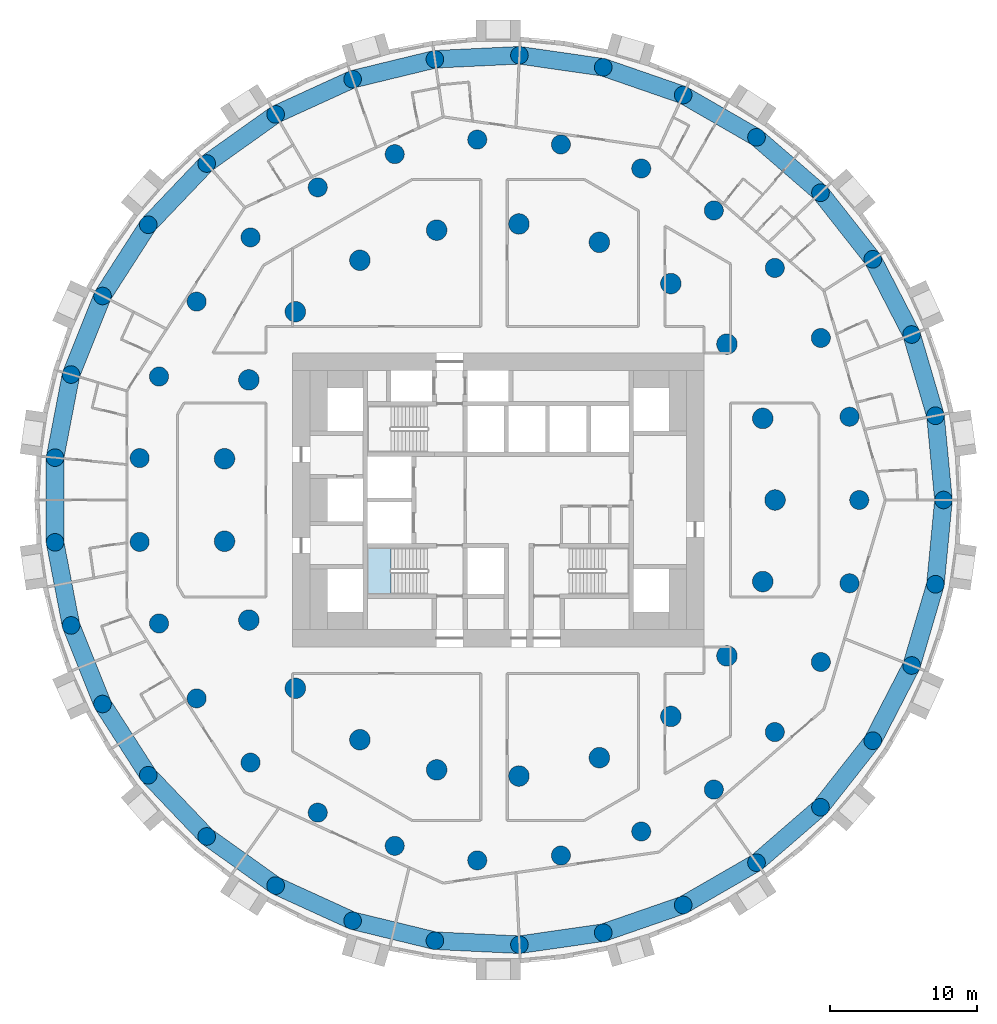
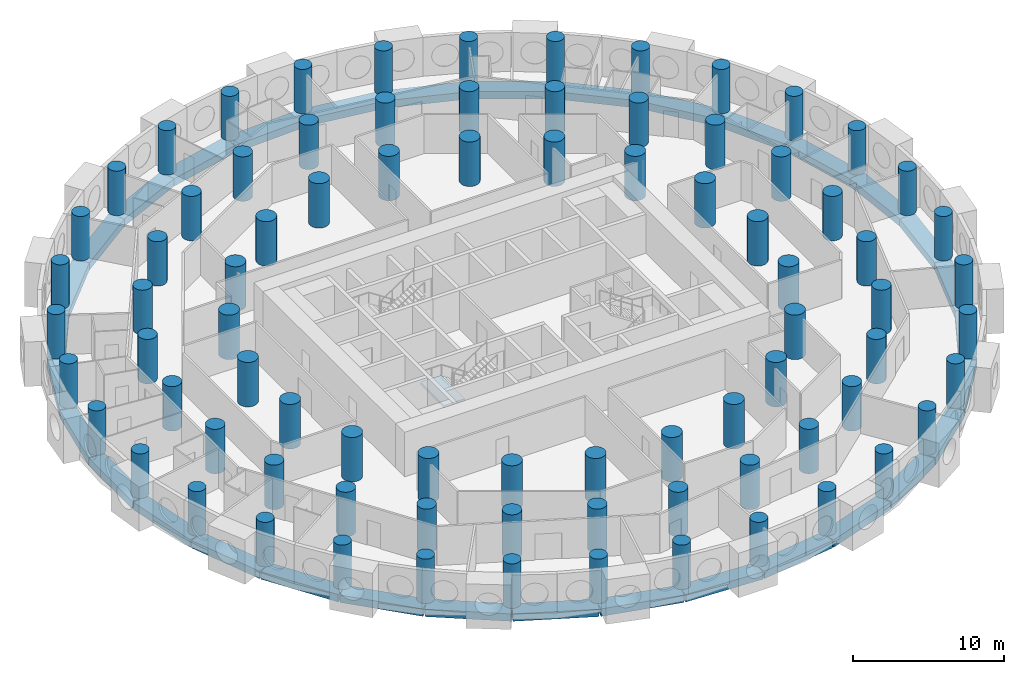
# One storey, part 1 of 12: 81 columns, 33 beams, 1 slab, 1 element without a shape of its own.
"""IFC4 building model written with IfcOpenShell, lengths in metres."""

from ifc_helpers import new_model, si_unit, direction, frame, origin, origin_2d, place, context, subcontext, project, spatial, polyline, rectangle, circle, outline, extrude, material, layer, layer_set, material_profile, profile_set, type_object, element, aggregate, save


model = new_model("IFC4")

# Units and contexts
model_context = context("Model", 3, precision=1e-05, world=origin(), true_north=direction((0.0, 1.0)))
body_context = subcontext(model_context, "Body", "Model", "MODEL_VIEW")
ifc_project = project(units=[si_unit("LENGTHUNIT", "METRE"), si_unit("AREAUNIT", "SQUARE_METRE"), si_unit("VOLUMEUNIT", "CUBIC_METRE"), si_unit("PLANEANGLEUNIT", "RADIAN"), si_unit("MASSUNIT", "GRAM", prefix="KILO")], contexts=[model_context])

# Site, building, storey
site_placement = place(None, origin())
site = spatial("IfcSite", under=ifc_project, at=site_placement, CompositionType="ELEMENT")
building_placement = place(site_placement, origin())
building = spatial("IfcBuilding", under=site, at=building_placement, Name="Tracery Tower", CompositionType="ELEMENT")
storey_placement = place(building_placement, frame((0.0, 0.0, 111.0)))
storey = spatial("IfcBuildingStorey", under=building, at=storey_placement, Name="L28", CompositionType="ELEMENT", Elevation=111.0)

# Columns
ifc_material_1 = material(Name="Concrete C60/75", Category="concrete")
ifc_material_profile_1 = material_profile(ifc_material_1, circle(Radius=0.60009765625, at=origin_2d()), Name="RC D1200")
ifc_profile_set_1 = profile_set([ifc_material_profile_1], Name="Concrete C60/75")
column_type_1 = type_object("IfcColumnType", Name="Ring 0 column 1200", PredefinedType="COLUMN", material=ifc_profile_set_1)
for number, where, z_axis, x_axis, name in (
    (1, (30.274658203125, 0.0, 0.0), (0.0, 0.0, 1.0), (1.0, 0.0, 0.0), "Ring 0 column 00 at L28"),
    (2, (29.7275390625, 5.7294921875, 0.0), (0.0, 0.0, 1.0), (1.0, 0.0, 0.0), "Ring 0 column 01 at L28"),
    (3, (28.10595703125, 11.251953125, 0.0), (0.0, 0.0, 1.0), (1.0, 0.0, 0.0), "Ring 0 column 02 at L28"),
    (4, (25.468505859375, 16.36767578125, 0.0), (0.0, 0.0, 1.0), (1.0, 0.0, 0.0), "Ring 0 column 03 at L28"),
    (5, (21.910888671875, 20.891845703125, 0.0), (0.0, 0.0, 1.0), (1.0, 0.0, 0.0), "Ring 0 column 04 at L28"),
    (6, (17.56103515625, 24.660888671875, 0.0), (0.0, 0.0, 1.0), (1.0, 0.0, 0.0), "Ring 0 column 05 at L28"),
    (7, (12.576416015625, 27.538818359375, 0.0), (0.0, 0.0, 1.0), (1.0, 0.0, 0.0), "Ring 0 column 06 at L28"),
    (8, (7.137451171875, 29.421142578125, 0.0), (0.0, 0.0, 1.0), (1.0, 0.0, 0.0), "Ring 0 column 07 at L28"),
    (9, (1.4404296875, 30.240234375, 0.0), (0.0, 0.0, 1.0), (1.0, 0.0, 0.0), "Ring 0 column 08 at L28"),
    (10, (-4.30859375, 29.96630859375, 0.0), (0.0, 0.0, 1.0), (1.0, 0.0, 0.0), "Ring 0 column 09 at L28"),
    (11, (-9.90185546875, 28.609619140625, 0.0), (0.0, 0.0, 1.0), (1.0, 0.0, 0.0), "Ring 0 column 10 at L28"),
    (12, (-15.13720703125, 26.218505859375, 0.0), (0.0, 0.0, 1.0), (1.0, 0.0, 0.0), "Ring 0 column 11 at L28"),
    (13, (-19.82568359375, 22.8798828125, 0.0), (0.0, 0.0, 1.0), (1.0, 0.0, 0.0), "Ring 0 column 12 at L28"),
    (14, (-23.79736328125, 18.714599609375, 0.0), (0.0, 0.0, 1.0), (1.0, 0.0, 0.0), "Ring 0 column 13 at L28"),
    (15, (-26.9091796875, 13.87255859375, 0.0), (0.0, 0.0, 1.0), (1.0, 0.0, 0.0), "Ring 0 column 14 at L28"),
    (16, (-29.04833984375, 8.529296875, 0.0), (0.0, 0.0, 1.0), (1.0, 0.0, 0.0), "Ring 0 column 15 at L28"),
    (17, (-30.137451171875, 2.877685546875, 0.0), (0.0, 0.0, 1.0), (1.0, 0.0, 0.0), "Ring 0 column 16 at L28"),
    (18, (-30.137451171875, -2.877685546875, 0.0), (0.0, 0.0, 1.0), (1.0, 0.0, 0.0), "Ring 0 column 17 at L28"),
    (19, (-29.04833984375, -8.529296875, 0.0), (0.0, 0.0, 1.0), (1.0, 0.0, 0.0), "Ring 0 column 18 at L28"),
    (20, (-26.9091796875, -13.87255859375, 0.0), (0.0, 0.0, 1.0), (1.0, 0.0, 0.0), "Ring 0 column 19 at L28"),
    (21, (-23.79736328125, -18.714599609375, 0.0), (0.0, 0.0, 1.0), (1.0, 0.0, 0.0), "Ring 0 column 20 at L28"),
    (22, (-19.82568359375, -22.8798828125, 0.0), (0.0, 0.0, 1.0), (1.0, 0.0, 0.0), "Ring 0 column 21 at L28"),
    (23, (-15.13720703125, -26.218505859375, 0.0), (0.0, 0.0, 1.0), (1.0, 0.0, 0.0), "Ring 0 column 22 at L28"),
    (24, (-9.90185546875, -28.609619140625, 0.0), (0.0, 0.0, 1.0), (1.0, 0.0, 0.0), "Ring 0 column 23 at L28"),
    (25, (-4.30859375, -29.96630859375, 0.0), (0.0, 0.0, 1.0), (1.0, 0.0, 0.0), "Ring 0 column 24 at L28"),
    (26, (1.4404296875, -30.240234375, 0.0), (0.0, 0.0, 1.0), (1.0, 0.0, 0.0), "Ring 0 column 25 at L28"),
    (27, (7.137451171875, -29.421142578125, 0.0), (0.0, 0.0, 1.0), (1.0, 0.0, 0.0), "Ring 0 column 26 at L28"),
    (28, (12.576416015625, -27.538818359375, 0.0), (0.0, 0.0, 1.0), (1.0, 0.0, 0.0), "Ring 0 column 27 at L28"),
    (29, (17.56103515625, -24.660888671875, 0.0), (0.0, 0.0, 1.0), (1.0, 0.0, 0.0), "Ring 0 column 28 at L28"),
    (30, (21.910888671875, -20.891845703125, 0.0), (0.0, 0.0, 1.0), (1.0, 0.0, 0.0), "Ring 0 column 29 at L28"),
    (31, (25.468505859375, -16.36767578125, 0.0), (0.0, 0.0, 1.0), (1.0, 0.0, 0.0), "Ring 0 column 30 at L28"),
    (32, (28.10595703125, -11.251953125, 0.0), (0.0, 0.0, 1.0), (1.0, 0.0, 0.0), "Ring 0 column 31 at L28"),
    (33, (29.7275390625, -5.7294921875, 0.0), (0.0, 0.0, 1.0), (1.0, 0.0, 0.0), "Ring 0 column 32 at L28"),
):
    element("IfcColumn", number, at=place(storey_placement, frame(where, z_axis=z_axis, x_axis=x_axis)), inside=storey, type_object=column_type_1, Name=name, PredefinedType="COLUMN", context=body_context, shape_type="SweptSolid", body=[
        extrude(circle(Radius=0.60009765625, at=origin_2d()), origin(), (0.0, 0.0, 1.0), 3.60009765625),
    ])
ifc_material_2 = material(Name="Concrete C60/75", Category="concrete")
ifc_material_profile_2 = material_profile(ifc_material_2, circle(Radius=0.64990234375, at=origin_2d()), Name="RC D1300")
ifc_profile_set_2 = profile_set([ifc_material_profile_2], Name="Concrete C60/75")
column_type_2 = type_object("IfcColumnType", Name="Ring 1 column 1300", PredefinedType="COLUMN", material=ifc_profile_set_2)
for number, where, z_axis, x_axis, name in (
    (34, (24.547607421875, 0.0, 0.0), (0.0, 0.0, 1.0), (1.0, 0.0, 0.0), "Ring 1 column 00 at L28"),
    (35, (23.885986328125, 5.6611328125, 0.0), (0.0, 0.0, 1.0), (1.0, 0.0, 0.0), "Ring 1 column 01 at L28"),
    (36, (21.9365234375, 11.01708984375, 0.0), (0.0, 0.0, 1.0), (1.0, 0.0, 0.0), "Ring 1 column 02 at L28"),
    (37, (18.8046875, 15.779052734375, 0.0), (0.0, 0.0, 1.0), (1.0, 0.0, 0.0), "Ring 1 column 03 at L28"),
    (38, (14.658935546875, 19.690185546875, 0.0), (0.0, 0.0, 1.0), (1.0, 0.0, 0.0), "Ring 1 column 04 at L28"),
    (39, (9.722900390625, 22.5400390625, 0.0), (0.0, 0.0, 1.0), (1.0, 0.0, 0.0), "Ring 1 column 05 at L28"),
    (40, (4.2626953125, 24.1748046875, 0.0), (0.0, 0.0, 1.0), (1.0, 0.0, 0.0), "Ring 1 column 06 at L28"),
    (41, (-1.42724609375, 24.506103515625, 0.0), (0.0, 0.0, 1.0), (1.0, 0.0, 0.0), "Ring 1 column 07 at L28"),
    (42, (-7.040283203125, 23.516357421875, 0.0), (0.0, 0.0, 1.0), (1.0, 0.0, 0.0), "Ring 1 column 08 at L28"),
    (43, (-12.273681640625, 21.2587890625, 0.0), (0.0, 0.0, 1.0), (1.0, 0.0, 0.0), "Ring 1 column 09 at L28"),
    (44, (-16.845703125, 17.855224609375, 0.0), (0.0, 0.0, 1.0), (1.0, 0.0, 0.0), "Ring 1 column 10 at L28"),
    (45, (-20.50927734375, 13.4892578125, 0.0), (0.0, 0.0, 1.0), (1.0, 0.0, 0.0), "Ring 1 column 11 at L28"),
    (46, (-23.0673828125, 8.395751953125, 0.0), (0.0, 0.0, 1.0), (1.0, 0.0, 0.0), "Ring 1 column 12 at L28"),
    (47, (-24.381591796875, 2.849853515625, 0.0), (0.0, 0.0, 1.0), (1.0, 0.0, 0.0), "Ring 1 column 13 at L28"),
    (48, (-24.381591796875, -2.849853515625, 0.0), (0.0, 0.0, 1.0), (1.0, 0.0, 0.0), "Ring 1 column 14 at L28"),
    (49, (-23.0673828125, -8.395751953125, 0.0), (0.0, 0.0, 1.0), (1.0, 0.0, 0.0), "Ring 1 column 15 at L28"),
    (50, (-20.50927734375, -13.4892578125, 0.0), (0.0, 0.0, 1.0), (1.0, 0.0, 0.0), "Ring 1 column 16 at L28"),
    (51, (-16.845703125, -17.85546875, 0.0), (0.0, 0.0, 1.0), (1.0, 0.0, 0.0), "Ring 1 column 17 at L28"),
    (52, (-12.27392578125, -21.2587890625, 0.0), (0.0, 0.0, 1.0), (1.0, 0.0, 0.0), "Ring 1 column 18 at L28"),
    (53, (-7.040283203125, -23.516357421875, 0.0), (0.0, 0.0, 1.0), (1.0, 0.0, 0.0), "Ring 1 column 19 at L28"),
    (54, (-1.42724609375, -24.506103515625, 0.0), (0.0, 0.0, 1.0), (1.0, 0.0, 0.0), "Ring 1 column 20 at L28"),
    (55, (4.2626953125, -24.1748046875, 0.0), (0.0, 0.0, 1.0), (1.0, 0.0, 0.0), "Ring 1 column 21 at L28"),
    (56, (9.722900390625, -22.5400390625, 0.0), (0.0, 0.0, 1.0), (1.0, 0.0, 0.0), "Ring 1 column 22 at L28"),
    (57, (14.658935546875, -19.690185546875, 0.0), (0.0, 0.0, 1.0), (1.0, 0.0, 0.0), "Ring 1 column 23 at L28"),
    (58, (18.8046875, -15.779052734375, 0.0), (0.0, 0.0, 1.0), (1.0, 0.0, 0.0), "Ring 1 column 24 at L28"),
    (59, (21.9365234375, -11.01708984375, 0.0), (0.0, 0.0, 1.0), (1.0, 0.0, 0.0), "Ring 1 column 25 at L28"),
    (60, (23.885986328125, -5.6611328125, 0.0), (0.0, 0.0, 1.0), (1.0, 0.0, 0.0), "Ring 1 column 26 at L28"),
):
    element("IfcColumn", number, at=place(storey_placement, frame(where, z_axis=z_axis, x_axis=x_axis)), inside=storey, type_object=column_type_2, Name=name, PredefinedType="COLUMN", context=body_context, shape_type="SweptSolid", body=[
        extrude(circle(Radius=0.64990234375, at=origin_2d()), origin(), (0.0, 0.0, 1.0), 3.60009765625),
    ])
ifc_material_3 = material(Name="Concrete C60/75", Category="concrete")
ifc_material_profile_3 = material_profile(ifc_material_3, circle(Radius=0.699951171875, at=origin_2d()), Name="RC D1400")
ifc_profile_set_3 = profile_set([ifc_material_profile_3], Name="Concrete C60/75")
column_type_3 = type_object("IfcColumnType", Name="Ring 2 column 1400", PredefinedType="COLUMN", material=ifc_profile_set_3)
for number, where, z_axis, x_axis, name in (
    (61, (18.822265625, 0.0, 0.0), (0.0, 0.0, 1.0), (1.0, 0.0, 0.0), "Ring 2 column 00 at L28"),
    (62, (17.986083984375, 5.5478515625, 0.0), (0.0, 0.0, 1.0), (1.0, 0.0, 0.0), "Ring 2 column 01 at L28"),
    (63, (15.551513671875, 10.602783203125, 0.0), (0.0, 0.0, 1.0), (1.0, 0.0, 0.0), "Ring 2 column 02 at L28"),
    (64, (11.7353515625, 14.7158203125, 0.0), (0.0, 0.0, 1.0), (1.0, 0.0, 0.0), "Ring 2 column 03 at L28"),
    (65, (6.87646484375, 17.52099609375, 0.0), (0.0, 0.0, 1.0), (1.0, 0.0, 0.0), "Ring 2 column 04 at L28"),
    (66, (1.406494140625, 18.76953125, 0.0), (0.0, 0.0, 1.0), (1.0, 0.0, 0.0), "Ring 2 column 05 at L28"),
    (67, (-4.188232421875, 18.350341796875, 0.0), (0.0, 0.0, 1.0), (1.0, 0.0, 0.0), "Ring 2 column 06 at L28"),
    (68, (-9.4111328125, 16.300537109375, 0.0), (0.0, 0.0, 1.0), (1.0, 0.0, 0.0), "Ring 2 column 07 at L28"),
    (69, (-13.797607421875, 12.802490234375, 0.0), (0.0, 0.0, 1.0), (1.0, 0.0, 0.0), "Ring 2 column 08 at L28"),
    (70, (-16.958251953125, 8.16650390625, 0.0), (0.0, 0.0, 1.0), (1.0, 0.0, 0.0), "Ring 2 column 09 at L28"),
    (71, (-18.612060546875, 2.805419921875, 0.0), (0.0, 0.0, 1.0), (1.0, 0.0, 0.0), "Ring 2 column 10 at L28"),
    (72, (-18.612060546875, -2.805419921875, 0.0), (0.0, 0.0, 1.0), (1.0, 0.0, 0.0), "Ring 2 column 11 at L28"),
    (73, (-16.958251953125, -8.166748046875, 0.0), (0.0, 0.0, 1.0), (1.0, 0.0, 0.0), "Ring 2 column 12 at L28"),
    (74, (-13.797607421875, -12.80224609375, 0.0), (0.0, 0.0, 1.0), (1.0, 0.0, 0.0), "Ring 2 column 13 at L28"),
    (75, (-9.4111328125, -16.300537109375, 0.0), (0.0, 0.0, 1.0), (1.0, 0.0, 0.0), "Ring 2 column 14 at L28"),
    (76, (-4.188232421875, -18.350341796875, 0.0), (0.0, 0.0, 1.0), (1.0, 0.0, 0.0), "Ring 2 column 15 at L28"),
    (77, (1.406494140625, -18.76953125, 0.0), (0.0, 0.0, 1.0), (1.0, 0.0, 0.0), "Ring 2 column 16 at L28"),
    (78, (6.87646484375, -17.52099609375, 0.0), (0.0, 0.0, 1.0), (1.0, 0.0, 0.0), "Ring 2 column 17 at L28"),
    (79, (11.7353515625, -14.7158203125, 0.0), (0.0, 0.0, 1.0), (1.0, 0.0, 0.0), "Ring 2 column 18 at L28"),
    (80, (15.551513671875, -10.602783203125, 0.0), (0.0, 0.0, 1.0), (1.0, 0.0, 0.0), "Ring 2 column 19 at L28"),
    (81, (17.986083984375, -5.5478515625, 0.0), (0.0, 0.0, 1.0), (1.0, 0.0, 0.0), "Ring 2 column 20 at L28"),
):
    element("IfcColumn", number, at=place(storey_placement, frame(where, z_axis=z_axis, x_axis=x_axis)), inside=storey, type_object=column_type_3, Name=name, PredefinedType="COLUMN", context=body_context, shape_type="SweptSolid", body=[
        extrude(circle(Radius=0.699951171875, at=origin_2d()), origin(), (0.0, 0.0, 1.0), 3.60009765625),
    ])

# Beams
ifc_material_4 = material(Name="Concrete C60/75", Category="concrete")
ifc_material_profile_4 = material_profile(ifc_material_4, rectangle(XDim=1.199951171875, YDim=0.60009765625, at=origin_2d()), Name="RC 1200x600")
ifc_profile_set_4 = profile_set([ifc_material_profile_4], Name="Concrete C60/75")
beam_type = type_object("IfcBeamType", Name="Perimeter band beam 1200x600", PredefinedType="BEAM", material=ifc_profile_set_4)
for number, where, z_axis, x_axis, name in (
    (82, (30.274658203125, 0.0, -0.75), (-0.095059309677, 0.995471610667, 0.0), (-0.995471610667, -0.095059309677, 0.0), "Perimeter beam 0.00 under L28"),
    (83, (29.7275390625, 5.7294921875, -0.75), (-0.281739145896, 0.959491038869, 0.0), (-0.959491038869, -0.281739145896, 0.0), "Perimeter beam 0.01 under L28"),
    (84, (28.10595703125, 11.251953125, -0.75), (-0.458242010493, 0.88882746347, 0.0), (-0.88882746347, -0.458242010493, 0.0), "Perimeter beam 0.02 under L28"),
):
    element("IfcBeam", number, at=place(storey_placement, frame(where, z_axis=z_axis, x_axis=x_axis)), inside=storey, type_object=beam_type, Name=name, PredefinedType="BEAM", context=body_context, shape_type="SweptSolid", body=[
        extrude(rectangle(XDim=1.199951171875, YDim=0.60009765625, at=origin_2d()), origin(), (0.0, 0.0, 1.0), 5.755615234375),
    ])
beam_1_placement = place(storey_placement, frame((25.468505859375, 16.36767578125, -0.75), z_axis=(-0.618134362257, 0.786072458618, 0.0), x_axis=(-0.786072458618, -0.618134362257, 0.0)))
element("IfcBeam", 85, at=beam_1_placement, inside=storey, type_object=beam_type, Name="Perimeter beam 0.03 under L28", PredefinedType="BEAM", context=body_context, shape_type="SweptSolid", body=[
    extrude(rectangle(XDim=1.199951171875, YDim=0.60009765625, at=origin_2d()), origin(), (0.0, 0.0, 1.0), 5.75537109375),
])
beam_2_placement = place(storey_placement, frame((21.910888671875, 20.891845703125, -0.75), z_axis=(-0.755760456715, 0.65484817482, 0.0), x_axis=(-0.65484817482, -0.755760456715, 0.0)))
element("IfcBeam", 86, at=beam_2_placement, inside=storey, type_object=beam_type, Name="Perimeter beam 0.04 under L28", PredefinedType="BEAM", context=body_context, shape_type="SweptSolid", body=[
    extrude(rectangle(XDim=1.199951171875, YDim=0.60009765625, at=origin_2d()), origin(), (0.0, 0.0, 1.0), 5.755615234375),
])
beam_3_placement = place(storey_placement, frame((17.56103515625, 24.660888671875, -0.75), z_axis=(-0.866021003874, 0.50000762079, 0.0), x_axis=(-0.50000762079, -0.866021003874, 0.0)))
element("IfcBeam", 87, at=beam_3_placement, inside=storey, type_object=beam_type, Name="Perimeter beam 0.05 under L28", PredefinedType="BEAM", context=body_context, shape_type="SweptSolid", body=[
    extrude(rectangle(XDim=1.199951171875, YDim=0.60009765625, at=origin_2d()), origin(), (0.0, 0.0, 1.0), 5.755859375),
])
beam_4_placement = place(storey_placement, frame((12.576416015625, 27.538818359375, -0.75), z_axis=(-0.945007252869, 0.327049372458, 0.0), x_axis=(-0.327049372458, -0.945007252869, 0.0)))
element("IfcBeam", 88, at=beam_4_placement, inside=storey, type_object=beam_type, Name="Perimeter beam 0.06 under L28", PredefinedType="BEAM", context=body_context, shape_type="SweptSolid", body=[
    extrude(rectangle(XDim=1.199951171875, YDim=0.60009765625, at=origin_2d()), origin(), (0.0, 0.0, 1.0), 5.75537109375),
])
for number, where, z_axis, x_axis, name in (
    (89, (7.137451171875, 29.421142578125, -0.75), (-0.989821839174, 0.142312075013, 0.0), (-0.142312075013, -0.989821839174, 0.0), "Perimeter beam 0.07 under L28"),
    (90, (1.4404296875, 30.240234375, -0.75), (-0.998866793759, -0.047593364303, 0.0), (0.047593364303, -0.998866793759, 0.0), "Perimeter beam 0.08 under L28"),
):
    element("IfcBeam", number, at=place(storey_placement, frame(where, z_axis=z_axis, x_axis=x_axis)), inside=storey, type_object=beam_type, Name=name, PredefinedType="BEAM", context=body_context, shape_type="SweptSolid", body=[
        extrude(rectangle(XDim=1.199951171875, YDim=0.60009765625, at=origin_2d()), origin(), (0.0, 0.0, 1.0), 5.755615234375),
    ])
beam_5_placement = place(storey_placement, frame((-4.30859375, 29.96630859375, -0.75), z_axis=(-0.971820371509, -0.235722645328, 0.0), x_axis=(0.235722645328, -0.971820371509, 0.0)))
element("IfcBeam", 91, at=beam_5_placement, inside=storey, type_object=beam_type, Name="Perimeter beam 0.09 under L28", PredefinedType="BEAM", context=body_context, shape_type="SweptSolid", body=[
    extrude(rectangle(XDim=1.199951171875, YDim=0.60009765625, at=origin_2d()), origin(), (0.0, 0.0, 1.0), 5.75537109375),
])
for number, where, z_axis, x_axis, name in (
    (92, (-9.90185546875, 28.609619140625, -0.75), (-0.909618316865, -0.415444963411, 0.0), (0.415444963411, -0.909618316865, 0.0), "Perimeter beam 0.10 under L28"),
    (93, (-15.13720703125, 26.218505859375, -0.75), (-0.8145780864, -0.580053912285, 0.0), (0.580053912285, -0.8145780864, 0.0), "Perimeter beam 0.11 under L28"),
):
    element("IfcBeam", number, at=place(storey_placement, frame(where, z_axis=z_axis, x_axis=x_axis)), inside=storey, type_object=beam_type, Name=name, PredefinedType="BEAM", context=body_context, shape_type="SweptSolid", body=[
        extrude(rectangle(XDim=1.199951171875, YDim=0.60009765625, at=origin_2d()), origin(), (0.0, 0.0, 1.0), 5.755615234375),
    ])
beam_6_placement = place(storey_placement, frame((-19.82568359375, 22.8798828125, -0.75), z_axis=(-0.690087218267, -0.723726212863, 0.0), x_axis=(0.723726212863, -0.690087218267, 0.0)))
element("IfcBeam", 94, at=beam_6_placement, inside=storey, type_object=beam_type, Name="Perimeter beam 0.12 under L28", PredefinedType="BEAM", context=body_context, shape_type="SweptSolid", body=[
    extrude(rectangle(XDim=1.199951171875, YDim=0.60009765625, at=origin_2d()), origin(), (0.0, 0.0, 1.0), 5.75537109375),
])
beam_7_placement = place(storey_placement, frame((-23.79736328125, 18.714599609375, -0.75), z_axis=(-0.540643964602, -0.841251510274, 0.0), x_axis=(0.841251510274, -0.540643964602, 0.0)))
element("IfcBeam", 95, at=beam_7_placement, inside=storey, type_object=beam_type, Name="Perimeter beam 0.13 under L28", PredefinedType="BEAM", context=body_context, shape_type="SweptSolid", body=[
    extrude(rectangle(XDim=1.199951171875, YDim=0.60009765625, at=origin_2d()), origin(), (0.0, 0.0, 1.0), 5.755859375),
])
for number, where, z_axis, x_axis, name in (
    (96, (-26.9091796875, 13.87255859375, -0.75), (-0.371668572289, -0.928365484264, 0.0), (0.928365484264, -0.371668572289, 0.0), "Perimeter beam 0.14 under L28"),
    (97, (-29.04833984375, 8.529296875, -0.75), (-0.189226539295, -0.981933458451, 0.0), (0.981933458451, -0.189226539295, 0.0), "Perimeter beam 0.15 under L28"),
):
    element("IfcBeam", number, at=place(storey_placement, frame(where, z_axis=z_axis, x_axis=x_axis)), inside=storey, type_object=beam_type, Name=name, PredefinedType="BEAM", context=body_context, shape_type="SweptSolid", body=[
        extrude(rectangle(XDim=1.199951171875, YDim=0.60009765625, at=origin_2d()), origin(), (0.0, 0.0, 1.0), 5.755615234375),
    ])
beam_8_placement = place(storey_placement, frame((-30.137451171875, 2.877685546875, -0.75), z_axis=(0.0, -1.0, 0.0), x_axis=(1.0, 0.0, 0.0)))
element("IfcBeam", 98, at=beam_8_placement, inside=storey, type_object=beam_type, Name="Perimeter beam 0.16 under L28", PredefinedType="BEAM", context=body_context, shape_type="SweptSolid", body=[
    extrude(rectangle(XDim=1.199951171875, YDim=0.60009765625, at=origin_2d()), origin(), (0.0, 0.0, 1.0), 5.75537109375),
])
for number, where, z_axis, x_axis, name in (
    (99, (-30.137451171875, -2.877685546875, -0.75), (0.189226539295, -0.981933458451, 0.0), (0.981933458451, 0.189226539295, 0.0), "Perimeter beam 0.17 under L28"),
    (100, (-29.04833984375, -8.529296875, -0.75), (0.371668572289, -0.928365484264, 0.0), (0.928365484264, 0.371668572289, 0.0), "Perimeter beam 0.18 under L28"),
):
    element("IfcBeam", number, at=place(storey_placement, frame(where, z_axis=z_axis, x_axis=x_axis)), inside=storey, type_object=beam_type, Name=name, PredefinedType="BEAM", context=body_context, shape_type="SweptSolid", body=[
        extrude(rectangle(XDim=1.199951171875, YDim=0.60009765625, at=origin_2d()), origin(), (0.0, 0.0, 1.0), 5.755615234375),
    ])
beam_9_placement = place(storey_placement, frame((-26.9091796875, -13.87255859375, -0.75), z_axis=(0.540643964602, -0.841251510274, 0.0), x_axis=(0.841251510274, 0.540643964602, 0.0)))
element("IfcBeam", 101, at=beam_9_placement, inside=storey, type_object=beam_type, Name="Perimeter beam 0.19 under L28", PredefinedType="BEAM", context=body_context, shape_type="SweptSolid", body=[
    extrude(rectangle(XDim=1.199951171875, YDim=0.60009765625, at=origin_2d()), origin(), (0.0, 0.0, 1.0), 5.755859375),
])
beam_10_placement = place(storey_placement, frame((-23.79736328125, -18.714599609375, -0.75), z_axis=(0.690087218267, -0.723726212863, 0.0), x_axis=(0.723726212863, 0.690087218267, 0.0)))
element("IfcBeam", 102, at=beam_10_placement, inside=storey, type_object=beam_type, Name="Perimeter beam 0.20 under L28", PredefinedType="BEAM", context=body_context, shape_type="SweptSolid", body=[
    extrude(rectangle(XDim=1.199951171875, YDim=0.60009765625, at=origin_2d()), origin(), (0.0, 0.0, 1.0), 5.75537109375),
])
for number, where, z_axis, x_axis, name in (
    (103, (-19.82568359375, -22.8798828125, -0.75), (0.8145780864, -0.580053912285, 0.0), (0.580053912285, 0.8145780864, 0.0), "Perimeter beam 0.21 under L28"),
    (104, (-15.13720703125, -26.218505859375, -0.75), (0.909618316865, -0.415444963411, 0.0), (0.415444963411, 0.909618316865, 0.0), "Perimeter beam 0.22 under L28"),
):
    element("IfcBeam", number, at=place(storey_placement, frame(where, z_axis=z_axis, x_axis=x_axis)), inside=storey, type_object=beam_type, Name=name, PredefinedType="BEAM", context=body_context, shape_type="SweptSolid", body=[
        extrude(rectangle(XDim=1.199951171875, YDim=0.60009765625, at=origin_2d()), origin(), (0.0, 0.0, 1.0), 5.755615234375),
    ])
beam_11_placement = place(storey_placement, frame((-9.90185546875, -28.609619140625, -0.75), z_axis=(0.971820371509, -0.235722645328, 0.0), x_axis=(0.235722645328, 0.971820371509, 0.0)))
element("IfcBeam", 105, at=beam_11_placement, inside=storey, type_object=beam_type, Name="Perimeter beam 0.23 under L28", PredefinedType="BEAM", context=body_context, shape_type="SweptSolid", body=[
    extrude(rectangle(XDim=1.199951171875, YDim=0.60009765625, at=origin_2d()), origin(), (0.0, 0.0, 1.0), 5.75537109375),
])
for number, where, z_axis, x_axis, name in (
    (106, (-4.30859375, -29.96630859375, -0.75), (0.998866793759, -0.047593364303, 0.0), (0.047593364303, 0.998866793759, 0.0), "Perimeter beam 0.24 under L28"),
    (107, (1.4404296875, -30.240234375, -0.75), (0.989821839174, 0.142312075013, 0.0), (-0.142312075013, 0.989821839174, 0.0), "Perimeter beam 0.25 under L28"),
):
    element("IfcBeam", number, at=place(storey_placement, frame(where, z_axis=z_axis, x_axis=x_axis)), inside=storey, type_object=beam_type, Name=name, PredefinedType="BEAM", context=body_context, shape_type="SweptSolid", body=[
        extrude(rectangle(XDim=1.199951171875, YDim=0.60009765625, at=origin_2d()), origin(), (0.0, 0.0, 1.0), 5.755615234375),
    ])
beam_12_placement = place(storey_placement, frame((7.137451171875, -29.421142578125, -0.75), z_axis=(0.945007252869, 0.327049372458, 0.0), x_axis=(-0.327049372458, 0.945007252869, 0.0)))
element("IfcBeam", 108, at=beam_12_placement, inside=storey, type_object=beam_type, Name="Perimeter beam 0.26 under L28", PredefinedType="BEAM", context=body_context, shape_type="SweptSolid", body=[
    extrude(rectangle(XDim=1.199951171875, YDim=0.60009765625, at=origin_2d()), origin(), (0.0, 0.0, 1.0), 5.75537109375),
])
beam_13_placement = place(storey_placement, frame((12.576416015625, -27.538818359375, -0.75), z_axis=(0.866021003874, 0.50000762079, 0.0), x_axis=(-0.50000762079, 0.866021003874, 0.0)))
element("IfcBeam", 109, at=beam_13_placement, inside=storey, type_object=beam_type, Name="Perimeter beam 0.27 under L28", PredefinedType="BEAM", context=body_context, shape_type="SweptSolid", body=[
    extrude(rectangle(XDim=1.199951171875, YDim=0.60009765625, at=origin_2d()), origin(), (0.0, 0.0, 1.0), 5.755859375),
])
beam_14_placement = place(storey_placement, frame((17.56103515625, -24.660888671875, -0.75), z_axis=(0.755760456715, 0.65484817482, 0.0), x_axis=(-0.65484817482, 0.755760456715, 0.0)))
element("IfcBeam", 110, at=beam_14_placement, inside=storey, type_object=beam_type, Name="Perimeter beam 0.28 under L28", PredefinedType="BEAM", context=body_context, shape_type="SweptSolid", body=[
    extrude(rectangle(XDim=1.199951171875, YDim=0.60009765625, at=origin_2d()), origin(), (0.0, 0.0, 1.0), 5.755615234375),
])
beam_15_placement = place(storey_placement, frame((21.910888671875, -20.891845703125, -0.75), z_axis=(0.618134362257, 0.786072458618, 0.0), x_axis=(-0.786072458618, 0.618134362257, 0.0)))
element("IfcBeam", 111, at=beam_15_placement, inside=storey, type_object=beam_type, Name="Perimeter beam 0.29 under L28", PredefinedType="BEAM", context=body_context, shape_type="SweptSolid", body=[
    extrude(rectangle(XDim=1.199951171875, YDim=0.60009765625, at=origin_2d()), origin(), (0.0, 0.0, 1.0), 5.75537109375),
])
for number, where, z_axis, x_axis, name in (
    (112, (25.468505859375, -16.36767578125, -0.75), (0.458242010493, 0.88882746347, 0.0), (-0.88882746347, 0.458242010493, 0.0), "Perimeter beam 0.30 under L28"),
    (113, (28.10595703125, -11.251953125, -0.75), (0.281739145896, 0.959491038869, 0.0), (-0.959491038869, 0.281739145896, 0.0), "Perimeter beam 0.31 under L28"),
    (114, (29.7275390625, -5.7294921875, -0.75), (0.095059309677, 0.995471610667, 0.0), (-0.995471610667, 0.095059309677, 0.0), "Perimeter beam 0.32 under L28"),
):
    element("IfcBeam", number, at=place(storey_placement, frame(where, z_axis=z_axis, x_axis=x_axis)), inside=storey, type_object=beam_type, Name=name, PredefinedType="BEAM", context=body_context, shape_type="SweptSolid", body=[
        extrude(rectangle(XDim=1.199951171875, YDim=0.60009765625, at=origin_2d()), origin(), (0.0, 0.0, 1.0), 5.755615234375),
    ])

# Stair, slab
ifc_material_5 = material(Name="Concrete C32/40", Category="concrete")
stair_type = type_object("IfcStairType", Name="Core stair 22 risers", PredefinedType="HALF_TURN_STAIR", material=ifc_material_5)
stair_placement = place(storey_placement, origin())
stair = element("IfcStair", 115, at=stair_placement, inside=storey, type_object=stair_type, Name="L28 stair ST1", PredefinedType="HALF_TURN_STAIR")
ifc_material_6 = material(Name="Concrete C32/40", Category="concrete")
ifc_layer = layer(ifc_material_6, 0.199951171875)
ifc_layer_set = layer_set([ifc_layer], Name="Stair landing slab 200")
slab_type = type_object("IfcSlabType", Name="Stair landing slab 200", PredefinedType="LANDING", material=ifc_layer_set)
slab_placement = place(storey_placement, frame((0.0, 0.0, 1.60009765625)))
slab = element("IfcSlab", 116, at=slab_placement, type_object=slab_type, Name="ST1 landing 1", PredefinedType="LANDING", context=body_context, shape_type="SweptSolid", body=[
    extrude(outline(polyline([(-7.29931640625, -3.25), (-8.89990234375, -3.25), (-8.89990234375, -6.39990234375), (-7.29931640625, -6.39990234375), (-7.29931640625, -3.25)])), origin(), (0.0, 0.0, 1.0), 0.199951171875),
])
aggregate(stair, [slab])

save(model, "model.ifc")
